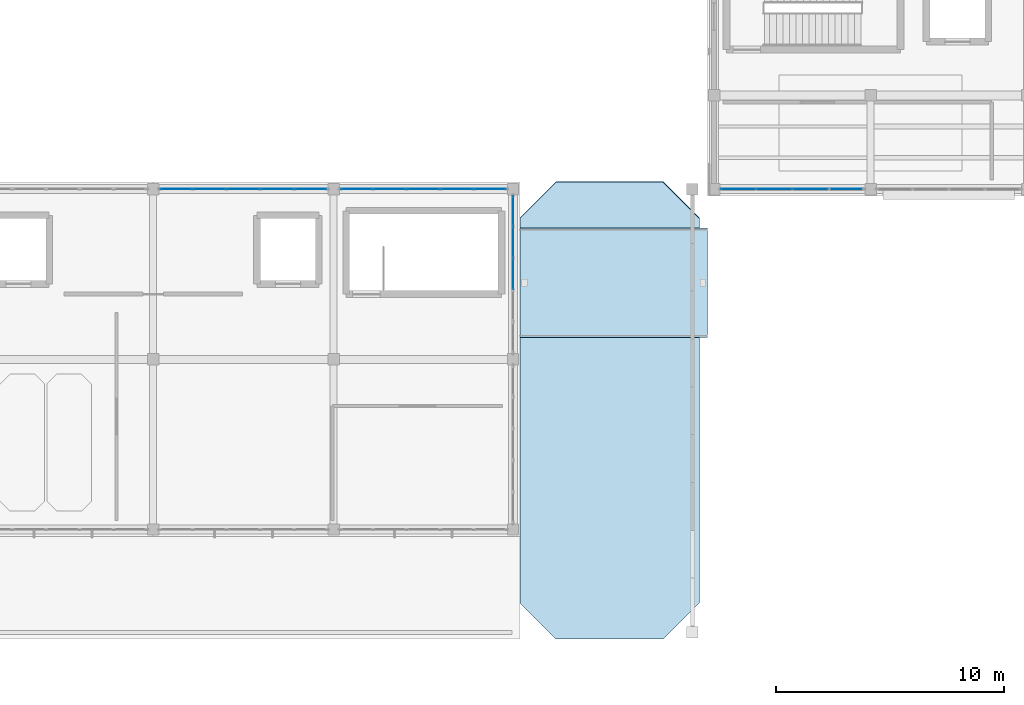
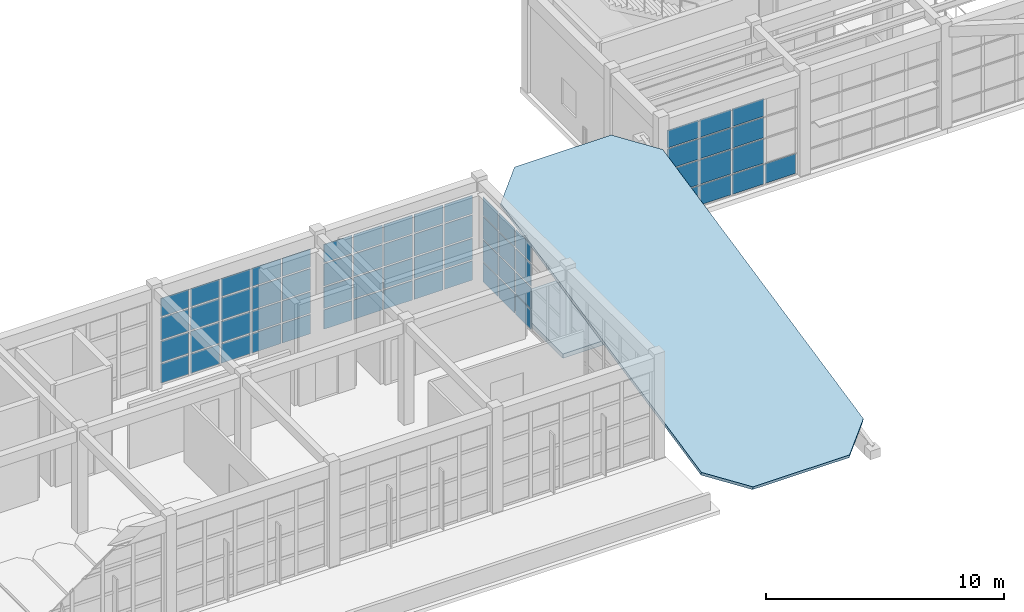
# One storey, part 65 of 103: 65 plates, 2 slabs, 4 elements without a shape of their own.
"""IFC4 building model written with IfcOpenShell, lengths in metres."""

from ifc_helpers import new_model, si_unit, direction, frame, origin, origin_2d, place, context, subcontext, project, spatial, polyline, rectangle, outline, extrude, material, layer, layer_set, type_object, element, aggregate, save


model = new_model("IFC4")

# Units and contexts
model_context = context("Model", 3, precision=1e-05, world=origin(), true_north=direction((0.0, 1.0)))
body_context = subcontext(model_context, "Body", "Model", "MODEL_VIEW")
ifc_project = project(units=[si_unit("LENGTHUNIT", "METRE"), si_unit("AREAUNIT", "SQUARE_METRE"), si_unit("VOLUMEUNIT", "CUBIC_METRE"), si_unit("PLANEANGLEUNIT", "RADIAN"), si_unit("MASSUNIT", "GRAM", prefix="KILO")], contexts=[model_context])

# Site, building, storey
site_placement = place(None, origin())
site = spatial("IfcSite", under=ifc_project, at=site_placement, CompositionType="ELEMENT")
building_placement = place(site_placement, origin())
building = spatial("IfcBuilding", under=site, at=building_placement, Name="Candilejo Ridge Gondola Terminal", CompositionType="ELEMENT")
storey_placement = place(building_placement, frame((0.0, 0.0, 9.0)))
storey = spatial("IfcBuildingStorey", under=building, at=storey_placement, Name="L02", CompositionType="ELEMENT", Elevation=9.0)

# Curtain wall, plates
ifc_material_1 = material(Name="Anodised aluminium AA 6063-T6", Category="aluminium")
ifc_layer_1 = layer(ifc_material_1, 0.169921875)
ifc_layer_set_1 = layer_set([ifc_layer_1], Name="ARC-CW-GALLERY-3200-740X449")
curtain_wall_type_1 = type_object("IfcCurtainWallType", Name="ARC-CW-GALLERY-3200-740X449", PredefinedType="NOTDEFINED", material=ifc_layer_set_1)
curtain_wall_1_placement = place(storey_placement, origin())
curtain_wall_1 = element("IfcCurtainWall", 1, at=curtain_wall_1_placement, inside=storey, type_object=curtain_wall_type_1, Name="Curtain wall V1 L02-012", PredefinedType="NOTDEFINED")
ifc_material_2 = material(Name="Low-E laminated double glazing 6+12A+6+1.52PVB+6 mm", Category="glass")
ifc_layer_2 = layer(ifc_material_2, 0.028076171875)
ifc_layer_set_2 = layer_set([ifc_layer_2], Name="ARC-CW-GLAZ-PANEL")
plate_type = type_object("IfcPlateType", Name="ARC-CW-GLAZ-PANEL", PredefinedType="CURTAIN_PANEL", material=ifc_layer_set_2)
plate_1_placement = place(storey_placement, frame((21.108642578125, 25.699951171875, 0.0751953125), z_axis=(0.0, 0.0, 1.0), x_axis=(1.0, 0.0, 0.0)))
plate_1 = element("IfcPlate", 2, at=plate_1_placement, type_object=plate_type, Name="CW-74X44 panel 1.1", PredefinedType="CURTAIN_PANEL", context=body_context, shape_type="SweptSolid", body=[
    extrude(rectangle(XDim=1.367431640625, YDim=0.028076171875, at=origin_2d()), origin(), (0.0, 0.0, 1.0), 0.987548828125),
])
plate_2_placement = place(storey_placement, frame((21.108642578125, 25.699951171875, 1.1376953125), z_axis=(0.0, 0.0, 1.0), x_axis=(1.0, 0.0, 0.0)))
plate_2 = element("IfcPlate", 3, at=plate_2_placement, type_object=plate_type, Name="CW-74X44 panel 1.2", PredefinedType="CURTAIN_PANEL", context=body_context, shape_type="SweptSolid", body=[
    extrude(rectangle(XDim=1.367431640625, YDim=0.028076171875, at=origin_2d()), origin(), (0.0, 0.0, 1.0), 1.074951171875),
])
plate_3_placement = place(storey_placement, frame((21.108642578125, 25.699951171875, 2.28759765625), z_axis=(0.0, 0.0, 1.0), x_axis=(1.0, 0.0, 0.0)))
plate_3 = element("IfcPlate", 4, at=plate_3_placement, type_object=plate_type, Name="CW-74X44 panel 1.3", PredefinedType="CURTAIN_PANEL", context=body_context, shape_type="SweptSolid", body=[
    extrude(rectangle(XDim=1.367431640625, YDim=0.028076171875, at=origin_2d()), origin(), (0.0, 0.0, 1.0), 1.125),
])
plate_4_placement = place(storey_placement, frame((21.108642578125, 25.699951171875, 3.4873046875), z_axis=(0.0, 0.0, 1.0), x_axis=(1.0, 0.0, 0.0)))
plate_4 = element("IfcPlate", 5, at=plate_4_placement, type_object=plate_type, Name="CW-74X44 panel 1.4", PredefinedType="CURTAIN_PANEL", context=body_context, shape_type="SweptSolid", body=[
    extrude(rectangle(XDim=1.367431640625, YDim=0.028076171875, at=origin_2d()), origin(), (0.0, 0.0, 1.0), 0.927490234375),
])
plate_5_placement = place(storey_placement, frame((22.570068359375, 25.699951171875, 0.0751953125), z_axis=(0.0, 0.0, 1.0), x_axis=(1.0, 0.0, 0.0)))
plate_5 = element("IfcPlate", 6, at=plate_5_placement, type_object=plate_type, Name="CW-74X44 panel 2.1", PredefinedType="CURTAIN_PANEL", context=body_context, shape_type="SweptSolid", body=[
    extrude(rectangle(XDim=1.405029296875, YDim=0.028076171875, at=origin_2d()), origin(), (0.0, 0.0, 1.0), 0.987548828125),
])
plate_6_placement = place(storey_placement, frame((22.570068359375, 25.699951171875, 1.1376953125), z_axis=(0.0, 0.0, 1.0), x_axis=(1.0, 0.0, 0.0)))
plate_6 = element("IfcPlate", 7, at=plate_6_placement, type_object=plate_type, Name="CW-74X44 panel 2.2", PredefinedType="CURTAIN_PANEL", context=body_context, shape_type="SweptSolid", body=[
    extrude(rectangle(XDim=1.405029296875, YDim=0.028076171875, at=origin_2d()), origin(), (0.0, 0.0, 1.0), 1.074951171875),
])
plate_7_placement = place(storey_placement, frame((22.570068359375, 25.699951171875, 2.28759765625), z_axis=(0.0, 0.0, 1.0), x_axis=(1.0, 0.0, 0.0)))
plate_7 = element("IfcPlate", 8, at=plate_7_placement, type_object=plate_type, Name="CW-74X44 panel 2.3", PredefinedType="CURTAIN_PANEL", context=body_context, shape_type="SweptSolid", body=[
    extrude(rectangle(XDim=1.405029296875, YDim=0.028076171875, at=origin_2d()), origin(), (0.0, 0.0, 1.0), 1.125),
])
plate_8_placement = place(storey_placement, frame((22.570068359375, 25.699951171875, 3.4873046875), z_axis=(0.0, 0.0, 1.0), x_axis=(1.0, 0.0, 0.0)))
plate_8 = element("IfcPlate", 9, at=plate_8_placement, type_object=plate_type, Name="CW-74X44 panel 2.4", PredefinedType="CURTAIN_PANEL", context=body_context, shape_type="SweptSolid", body=[
    extrude(rectangle(XDim=1.405029296875, YDim=0.028076171875, at=origin_2d()), origin(), (0.0, 0.0, 1.0), 0.927490234375),
])
plate_9_placement = place(storey_placement, frame((24.050048828125, 25.699951171875, 0.0751953125), z_axis=(0.0, 0.0, 1.0), x_axis=(1.0, 0.0, 0.0)))
plate_9 = element("IfcPlate", 10, at=plate_9_placement, type_object=plate_type, Name="CW-74X44 panel 3.1", PredefinedType="CURTAIN_PANEL", context=body_context, shape_type="SweptSolid", body=[
    extrude(rectangle(XDim=1.405029296875, YDim=0.028076171875, at=origin_2d()), origin(), (0.0, 0.0, 1.0), 0.987548828125),
])
plate_10_placement = place(storey_placement, frame((24.050048828125, 25.699951171875, 1.1376953125), z_axis=(0.0, 0.0, 1.0), x_axis=(1.0, 0.0, 0.0)))
plate_10 = element("IfcPlate", 11, at=plate_10_placement, type_object=plate_type, Name="CW-74X44 panel 3.2", PredefinedType="CURTAIN_PANEL", context=body_context, shape_type="SweptSolid", body=[
    extrude(rectangle(XDim=1.405029296875, YDim=0.028076171875, at=origin_2d()), origin(), (0.0, 0.0, 1.0), 1.074951171875),
])
plate_11_placement = place(storey_placement, frame((24.050048828125, 25.699951171875, 2.28759765625), z_axis=(0.0, 0.0, 1.0), x_axis=(1.0, 0.0, 0.0)))
plate_11 = element("IfcPlate", 12, at=plate_11_placement, type_object=plate_type, Name="CW-74X44 panel 3.3", PredefinedType="CURTAIN_PANEL", context=body_context, shape_type="SweptSolid", body=[
    extrude(rectangle(XDim=1.405029296875, YDim=0.028076171875, at=origin_2d()), origin(), (0.0, 0.0, 1.0), 1.125),
])
plate_12_placement = place(storey_placement, frame((24.050048828125, 25.699951171875, 3.4873046875), z_axis=(0.0, 0.0, 1.0), x_axis=(1.0, 0.0, 0.0)))
plate_12 = element("IfcPlate", 13, at=plate_12_placement, type_object=plate_type, Name="CW-74X44 panel 3.4", PredefinedType="CURTAIN_PANEL", context=body_context, shape_type="SweptSolid", body=[
    extrude(rectangle(XDim=1.405029296875, YDim=0.028076171875, at=origin_2d()), origin(), (0.0, 0.0, 1.0), 0.927490234375),
])
plate_13_placement = place(storey_placement, frame((25.530029296875, 25.699951171875, 0.0751953125), z_axis=(0.0, 0.0, 1.0), x_axis=(1.0, 0.0, 0.0)))
plate_13 = element("IfcPlate", 14, at=plate_13_placement, type_object=plate_type, Name="CW-74X44 panel 4.1", PredefinedType="CURTAIN_PANEL", context=body_context, shape_type="SweptSolid", body=[
    extrude(rectangle(XDim=1.405029296875, YDim=0.028076171875, at=origin_2d()), origin(), (0.0, 0.0, 1.0), 0.987548828125),
])
plate_14_placement = place(storey_placement, frame((25.530029296875, 25.699951171875, 1.1376953125), z_axis=(0.0, 0.0, 1.0), x_axis=(1.0, 0.0, 0.0)))
plate_14 = element("IfcPlate", 15, at=plate_14_placement, type_object=plate_type, Name="CW-74X44 panel 4.2", PredefinedType="CURTAIN_PANEL", context=body_context, shape_type="SweptSolid", body=[
    extrude(rectangle(XDim=1.405029296875, YDim=0.028076171875, at=origin_2d()), origin(), (0.0, 0.0, 1.0), 1.074951171875),
])
plate_15_placement = place(storey_placement, frame((25.530029296875, 25.699951171875, 2.28759765625), z_axis=(0.0, 0.0, 1.0), x_axis=(1.0, 0.0, 0.0)))
plate_15 = element("IfcPlate", 16, at=plate_15_placement, type_object=plate_type, Name="CW-74X44 panel 4.3", PredefinedType="CURTAIN_PANEL", context=body_context, shape_type="SweptSolid", body=[
    extrude(rectangle(XDim=1.405029296875, YDim=0.028076171875, at=origin_2d()), origin(), (0.0, 0.0, 1.0), 1.125),
])
plate_16_placement = place(storey_placement, frame((25.530029296875, 25.699951171875, 3.4873046875), z_axis=(0.0, 0.0, 1.0), x_axis=(1.0, 0.0, 0.0)))
plate_16 = element("IfcPlate", 17, at=plate_16_placement, type_object=plate_type, Name="CW-74X44 panel 4.4", PredefinedType="CURTAIN_PANEL", context=body_context, shape_type="SweptSolid", body=[
    extrude(rectangle(XDim=1.405029296875, YDim=0.028076171875, at=origin_2d()), origin(), (0.0, 0.0, 1.0), 0.927490234375),
])
plate_17_placement = place(storey_placement, frame((26.9912109375, 25.699951171875, 0.0751953125), z_axis=(0.0, 0.0, 1.0), x_axis=(1.0, 0.0, 0.0)))
plate_17 = element("IfcPlate", 18, at=plate_17_placement, type_object=plate_type, Name="CW-74X44 panel 5.1", PredefinedType="CURTAIN_PANEL", context=body_context, shape_type="SweptSolid", body=[
    extrude(rectangle(XDim=1.367431640625, YDim=0.028076171875, at=origin_2d()), origin(), (0.0, 0.0, 1.0), 0.987548828125),
])
plate_18_placement = place(storey_placement, frame((26.9912109375, 25.699951171875, 1.1376953125), z_axis=(0.0, 0.0, 1.0), x_axis=(1.0, 0.0, 0.0)))
plate_18 = element("IfcPlate", 19, at=plate_18_placement, type_object=plate_type, Name="CW-74X44 panel 5.2", PredefinedType="CURTAIN_PANEL", context=body_context, shape_type="SweptSolid", body=[
    extrude(rectangle(XDim=1.367431640625, YDim=0.028076171875, at=origin_2d()), origin(), (0.0, 0.0, 1.0), 1.074951171875),
])
plate_19_placement = place(storey_placement, frame((26.9912109375, 25.699951171875, 2.28759765625), z_axis=(0.0, 0.0, 1.0), x_axis=(1.0, 0.0, 0.0)))
plate_19 = element("IfcPlate", 20, at=plate_19_placement, type_object=plate_type, Name="CW-74X44 panel 5.3", PredefinedType="CURTAIN_PANEL", context=body_context, shape_type="SweptSolid", body=[
    extrude(rectangle(XDim=1.367431640625, YDim=0.028076171875, at=origin_2d()), origin(), (0.0, 0.0, 1.0), 1.125),
])
plate_20_placement = place(storey_placement, frame((26.9912109375, 25.699951171875, 3.4873046875), z_axis=(0.0, 0.0, 1.0), x_axis=(1.0, 0.0, 0.0)))
plate_20 = element("IfcPlate", 21, at=plate_20_placement, type_object=plate_type, Name="CW-74X44 panel 5.4", PredefinedType="CURTAIN_PANEL", context=body_context, shape_type="SweptSolid", body=[
    extrude(rectangle(XDim=1.367431640625, YDim=0.028076171875, at=origin_2d()), origin(), (0.0, 0.0, 1.0), 0.927490234375),
])
aggregate(curtain_wall_1, [plate_1, plate_2, plate_3, plate_4, plate_5, plate_6, plate_7, plate_8, plate_9, plate_10, plate_11, plate_12, plate_13, plate_14, plate_15, plate_16, plate_17, plate_18, plate_19, plate_20])

ifc_material_3 = material(Name="Anodised aluminium AA 6063-T6", Category="aluminium")
ifc_layer_3 = layer(ifc_material_3, 0.169921875)
ifc_layer_set_3 = layer_set([ifc_layer_3], Name="ARC-CW-GALLERY-3200-735X449")
curtain_wall_type_2 = type_object("IfcCurtainWallType", Name="ARC-CW-GALLERY-3200-735X449", PredefinedType="NOTDEFINED", material=ifc_layer_set_3)
curtain_wall_2_placement = place(storey_placement, origin())
curtain_wall_2 = element("IfcCurtainWall", 22, at=curtain_wall_2_placement, inside=storey, type_object=curtain_wall_type_2, Name="Curtain wall V1 L02-016", PredefinedType="NOTDEFINED")
plate_21_placement = place(storey_placement, frame((29.003662109375, 25.699951171875, 0.0751953125), z_axis=(0.0, 0.0, 1.0), x_axis=(1.0, 0.0, 0.0)))
plate_21 = element("IfcPlate", 23, at=plate_21_placement, type_object=plate_type, Name="CW-73X44 panel 1.1", PredefinedType="CURTAIN_PANEL", context=body_context, shape_type="SweptSolid", body=[
    extrude(rectangle(XDim=1.357421875, YDim=0.028076171875, at=origin_2d()), origin(), (0.0, 0.0, 1.0), 0.987548828125),
])
plate_22_placement = place(storey_placement, frame((29.003662109375, 25.699951171875, 1.1376953125), z_axis=(0.0, 0.0, 1.0), x_axis=(1.0, 0.0, 0.0)))
plate_22 = element("IfcPlate", 24, at=plate_22_placement, type_object=plate_type, Name="CW-73X44 panel 1.2", PredefinedType="CURTAIN_PANEL", context=body_context, shape_type="SweptSolid", body=[
    extrude(rectangle(XDim=1.357421875, YDim=0.028076171875, at=origin_2d()), origin(), (0.0, 0.0, 1.0), 1.074951171875),
])
plate_23_placement = place(storey_placement, frame((29.003662109375, 25.699951171875, 2.28759765625), z_axis=(0.0, 0.0, 1.0), x_axis=(1.0, 0.0, 0.0)))
plate_23 = element("IfcPlate", 25, at=plate_23_placement, type_object=plate_type, Name="CW-73X44 panel 1.3", PredefinedType="CURTAIN_PANEL", context=body_context, shape_type="SweptSolid", body=[
    extrude(rectangle(XDim=1.357421875, YDim=0.028076171875, at=origin_2d()), origin(), (0.0, 0.0, 1.0), 1.125),
])
plate_24_placement = place(storey_placement, frame((29.003662109375, 25.699951171875, 3.4873046875), z_axis=(0.0, 0.0, 1.0), x_axis=(1.0, 0.0, 0.0)))
plate_24 = element("IfcPlate", 26, at=plate_24_placement, type_object=plate_type, Name="CW-73X44 panel 1.4", PredefinedType="CURTAIN_PANEL", context=body_context, shape_type="SweptSolid", body=[
    extrude(rectangle(XDim=1.357421875, YDim=0.028076171875, at=origin_2d()), origin(), (0.0, 0.0, 1.0), 0.927490234375),
])
plate_25_placement = place(storey_placement, frame((30.455078125, 25.699951171875, 0.0751953125), z_axis=(0.0, 0.0, 1.0), x_axis=(1.0, 0.0, 0.0)))
plate_25 = element("IfcPlate", 27, at=plate_25_placement, type_object=plate_type, Name="CW-73X44 panel 2.1", PredefinedType="CURTAIN_PANEL", context=body_context, shape_type="SweptSolid", body=[
    extrude(rectangle(XDim=1.39501953125, YDim=0.028076171875, at=origin_2d()), origin(), (0.0, 0.0, 1.0), 0.987548828125),
])
plate_26_placement = place(storey_placement, frame((30.455078125, 25.699951171875, 1.1376953125), z_axis=(0.0, 0.0, 1.0), x_axis=(1.0, 0.0, 0.0)))
plate_26 = element("IfcPlate", 28, at=plate_26_placement, type_object=plate_type, Name="CW-73X44 panel 2.2", PredefinedType="CURTAIN_PANEL", context=body_context, shape_type="SweptSolid", body=[
    extrude(rectangle(XDim=1.39501953125, YDim=0.028076171875, at=origin_2d()), origin(), (0.0, 0.0, 1.0), 1.074951171875),
])
plate_27_placement = place(storey_placement, frame((30.455078125, 25.699951171875, 2.28759765625), z_axis=(0.0, 0.0, 1.0), x_axis=(1.0, 0.0, 0.0)))
plate_27 = element("IfcPlate", 29, at=plate_27_placement, type_object=plate_type, Name="CW-73X44 panel 2.3", PredefinedType="CURTAIN_PANEL", context=body_context, shape_type="SweptSolid", body=[
    extrude(rectangle(XDim=1.39501953125, YDim=0.028076171875, at=origin_2d()), origin(), (0.0, 0.0, 1.0), 1.125),
])
plate_28_placement = place(storey_placement, frame((30.455078125, 25.699951171875, 3.4873046875), z_axis=(0.0, 0.0, 1.0), x_axis=(1.0, 0.0, 0.0)))
plate_28 = element("IfcPlate", 30, at=plate_28_placement, type_object=plate_type, Name="CW-73X44 panel 2.4", PredefinedType="CURTAIN_PANEL", context=body_context, shape_type="SweptSolid", body=[
    extrude(rectangle(XDim=1.39501953125, YDim=0.028076171875, at=origin_2d()), origin(), (0.0, 0.0, 1.0), 0.927490234375),
])
plate_29_placement = place(storey_placement, frame((31.925048828125, 25.699951171875, 0.0751953125), z_axis=(0.0, 0.0, 1.0), x_axis=(1.0, 0.0, 0.0)))
plate_29 = element("IfcPlate", 31, at=plate_29_placement, type_object=plate_type, Name="CW-73X44 panel 3.1", PredefinedType="CURTAIN_PANEL", context=body_context, shape_type="SweptSolid", body=[
    extrude(rectangle(XDim=1.39501953125, YDim=0.028076171875, at=origin_2d()), origin(), (0.0, 0.0, 1.0), 0.987548828125),
])
plate_30_placement = place(storey_placement, frame((31.925048828125, 25.699951171875, 1.1376953125), z_axis=(0.0, 0.0, 1.0), x_axis=(1.0, 0.0, 0.0)))
plate_30 = element("IfcPlate", 32, at=plate_30_placement, type_object=plate_type, Name="CW-73X44 panel 3.2", PredefinedType="CURTAIN_PANEL", context=body_context, shape_type="SweptSolid", body=[
    extrude(rectangle(XDim=1.39501953125, YDim=0.028076171875, at=origin_2d()), origin(), (0.0, 0.0, 1.0), 1.074951171875),
])
plate_31_placement = place(storey_placement, frame((31.925048828125, 25.699951171875, 2.28759765625), z_axis=(0.0, 0.0, 1.0), x_axis=(1.0, 0.0, 0.0)))
plate_31 = element("IfcPlate", 33, at=plate_31_placement, type_object=plate_type, Name="CW-73X44 panel 3.3", PredefinedType="CURTAIN_PANEL", context=body_context, shape_type="SweptSolid", body=[
    extrude(rectangle(XDim=1.39501953125, YDim=0.028076171875, at=origin_2d()), origin(), (0.0, 0.0, 1.0), 1.125),
])
plate_32_placement = place(storey_placement, frame((31.925048828125, 25.699951171875, 3.4873046875), z_axis=(0.0, 0.0, 1.0), x_axis=(1.0, 0.0, 0.0)))
plate_32 = element("IfcPlate", 34, at=plate_32_placement, type_object=plate_type, Name="CW-73X44 panel 3.4", PredefinedType="CURTAIN_PANEL", context=body_context, shape_type="SweptSolid", body=[
    extrude(rectangle(XDim=1.39501953125, YDim=0.028076171875, at=origin_2d()), origin(), (0.0, 0.0, 1.0), 0.927490234375),
])
plate_33_placement = place(storey_placement, frame((33.39501953125, 25.699951171875, 0.0751953125), z_axis=(0.0, 0.0, 1.0), x_axis=(1.0, 0.0, 0.0)))
plate_33 = element("IfcPlate", 35, at=plate_33_placement, type_object=plate_type, Name="CW-73X44 panel 4.1", PredefinedType="CURTAIN_PANEL", context=body_context, shape_type="SweptSolid", body=[
    extrude(rectangle(XDim=1.39501953125, YDim=0.028076171875, at=origin_2d()), origin(), (0.0, 0.0, 1.0), 0.987548828125),
])
plate_34_placement = place(storey_placement, frame((33.39501953125, 25.699951171875, 1.1376953125), z_axis=(0.0, 0.0, 1.0), x_axis=(1.0, 0.0, 0.0)))
plate_34 = element("IfcPlate", 36, at=plate_34_placement, type_object=plate_type, Name="CW-73X44 panel 4.2", PredefinedType="CURTAIN_PANEL", context=body_context, shape_type="SweptSolid", body=[
    extrude(rectangle(XDim=1.39501953125, YDim=0.028076171875, at=origin_2d()), origin(), (0.0, 0.0, 1.0), 1.074951171875),
])
plate_35_placement = place(storey_placement, frame((33.39501953125, 25.699951171875, 2.28759765625), z_axis=(0.0, 0.0, 1.0), x_axis=(1.0, 0.0, 0.0)))
plate_35 = element("IfcPlate", 37, at=plate_35_placement, type_object=plate_type, Name="CW-73X44 panel 4.3", PredefinedType="CURTAIN_PANEL", context=body_context, shape_type="SweptSolid", body=[
    extrude(rectangle(XDim=1.39501953125, YDim=0.028076171875, at=origin_2d()), origin(), (0.0, 0.0, 1.0), 1.125),
])
plate_36_placement = place(storey_placement, frame((33.39501953125, 25.699951171875, 3.4873046875), z_axis=(0.0, 0.0, 1.0), x_axis=(1.0, 0.0, 0.0)))
plate_36 = element("IfcPlate", 38, at=plate_36_placement, type_object=plate_type, Name="CW-73X44 panel 4.4", PredefinedType="CURTAIN_PANEL", context=body_context, shape_type="SweptSolid", body=[
    extrude(rectangle(XDim=1.39501953125, YDim=0.028076171875, at=origin_2d()), origin(), (0.0, 0.0, 1.0), 0.927490234375),
])
plate_37_placement = place(storey_placement, frame((34.84619140625, 25.699951171875, 0.0751953125), z_axis=(0.0, 0.0, 1.0), x_axis=(1.0, 0.0, 0.0)))
plate_37 = element("IfcPlate", 39, at=plate_37_placement, type_object=plate_type, Name="CW-73X44 panel 5.1", PredefinedType="CURTAIN_PANEL", context=body_context, shape_type="SweptSolid", body=[
    extrude(rectangle(XDim=1.357421875, YDim=0.028076171875, at=origin_2d()), origin(), (0.0, 0.0, 1.0), 0.987548828125),
])
plate_38_placement = place(storey_placement, frame((34.84619140625, 25.699951171875, 1.1376953125), z_axis=(0.0, 0.0, 1.0), x_axis=(1.0, 0.0, 0.0)))
plate_38 = element("IfcPlate", 40, at=plate_38_placement, type_object=plate_type, Name="CW-73X44 panel 5.2", PredefinedType="CURTAIN_PANEL", context=body_context, shape_type="SweptSolid", body=[
    extrude(rectangle(XDim=1.357421875, YDim=0.028076171875, at=origin_2d()), origin(), (0.0, 0.0, 1.0), 1.074951171875),
])
plate_39_placement = place(storey_placement, frame((34.84619140625, 25.699951171875, 2.28759765625), z_axis=(0.0, 0.0, 1.0), x_axis=(1.0, 0.0, 0.0)))
plate_39 = element("IfcPlate", 41, at=plate_39_placement, type_object=plate_type, Name="CW-73X44 panel 5.3", PredefinedType="CURTAIN_PANEL", context=body_context, shape_type="SweptSolid", body=[
    extrude(rectangle(XDim=1.357421875, YDim=0.028076171875, at=origin_2d()), origin(), (0.0, 0.0, 1.0), 1.125),
])
plate_40_placement = place(storey_placement, frame((34.84619140625, 25.699951171875, 3.4873046875), z_axis=(0.0, 0.0, 1.0), x_axis=(1.0, 0.0, 0.0)))
plate_40 = element("IfcPlate", 42, at=plate_40_placement, type_object=plate_type, Name="CW-73X44 panel 5.4", PredefinedType="CURTAIN_PANEL", context=body_context, shape_type="SweptSolid", body=[
    extrude(rectangle(XDim=1.357421875, YDim=0.028076171875, at=origin_2d()), origin(), (0.0, 0.0, 1.0), 0.927490234375),
])
aggregate(curtain_wall_2, [plate_21, plate_22, plate_23, plate_24, plate_25, plate_26, plate_27, plate_28, plate_29, plate_30, plate_31, plate_32, plate_33, plate_34, plate_35, plate_36, plate_37, plate_38, plate_39, plate_40])

ifc_material_4 = material(Name="Anodised aluminium AA 6063-T6", Category="aluminium")
ifc_layer_4 = layer(ifc_material_4, 0.169921875)
ifc_layer_set_4 = layer_set([ifc_layer_4], Name="ARC-CW-GALLERY-3200-695X449")
curtain_wall_type_3 = type_object("IfcCurtainWallType", Name="ARC-CW-GALLERY-3200-695X449", PredefinedType="NOTDEFINED", material=ifc_layer_set_4)
curtain_wall_3_placement = place(storey_placement, origin())
curtain_wall_3 = element("IfcCurtainWall", 43, at=curtain_wall_3_placement, inside=storey, type_object=curtain_wall_type_3, Name="Curtain wall V1 L02-027", PredefinedType="NOTDEFINED")
plate_41_placement = place(storey_placement, frame((35.85009765625, 21.97509765625, 0.0751953125), z_axis=(0.0, 0.0, 1.0), x_axis=(0.0, 1.0, 0.0)))
plate_41 = element("IfcPlate", 44, at=plate_41_placement, type_object=plate_type, Name="CW-69X44 panel 3.1", PredefinedType="CURTAIN_PANEL", context=body_context, shape_type="SweptSolid", body=[
    extrude(rectangle(XDim=1.31494140625, YDim=0.028076171875, at=origin_2d()), origin(), (0.0, 0.0, 1.0), 0.987548828125),
])
plate_42_placement = place(storey_placement, frame((35.85009765625, 21.97509765625, 1.1376953125), z_axis=(0.0, 0.0, 1.0), x_axis=(0.0, 1.0, 0.0)))
plate_42 = element("IfcPlate", 45, at=plate_42_placement, type_object=plate_type, Name="CW-69X44 panel 3.2", PredefinedType="CURTAIN_PANEL", context=body_context, shape_type="SweptSolid", body=[
    extrude(rectangle(XDim=1.31494140625, YDim=0.028076171875, at=origin_2d()), origin(), (0.0, 0.0, 1.0), 1.074951171875),
])
plate_43_placement = place(storey_placement, frame((35.85009765625, 21.97509765625, 2.28759765625), z_axis=(0.0, 0.0, 1.0), x_axis=(0.0, 1.0, 0.0)))
plate_43 = element("IfcPlate", 46, at=plate_43_placement, type_object=plate_type, Name="CW-69X44 panel 3.3", PredefinedType="CURTAIN_PANEL", context=body_context, shape_type="SweptSolid", body=[
    extrude(rectangle(XDim=1.31494140625, YDim=0.028076171875, at=origin_2d()), origin(), (0.0, 0.0, 1.0), 1.125),
])
plate_44_placement = place(storey_placement, frame((35.85009765625, 21.97509765625, 3.4873046875), z_axis=(0.0, 0.0, 1.0), x_axis=(0.0, 1.0, 0.0)))
plate_44 = element("IfcPlate", 47, at=plate_44_placement, type_object=plate_type, Name="CW-69X44 panel 3.4", PredefinedType="CURTAIN_PANEL", context=body_context, shape_type="SweptSolid", body=[
    extrude(rectangle(XDim=1.31494140625, YDim=0.028076171875, at=origin_2d()), origin(), (0.0, 0.0, 1.0), 0.927490234375),
])
plate_45_placement = place(storey_placement, frame((35.85009765625, 23.364990234375, 0.0751953125), z_axis=(0.0, 0.0, 1.0), x_axis=(0.0, 1.0, 0.0)))
plate_45 = element("IfcPlate", 48, at=plate_45_placement, type_object=plate_type, Name="CW-69X44 panel 4.1", PredefinedType="CURTAIN_PANEL", context=body_context, shape_type="SweptSolid", body=[
    extrude(rectangle(XDim=1.31494140625, YDim=0.028076171875, at=origin_2d()), origin(), (0.0, 0.0, 1.0), 0.987548828125),
])
plate_46_placement = place(storey_placement, frame((35.85009765625, 23.364990234375, 1.1376953125), z_axis=(0.0, 0.0, 1.0), x_axis=(0.0, 1.0, 0.0)))
plate_46 = element("IfcPlate", 49, at=plate_46_placement, type_object=plate_type, Name="CW-69X44 panel 4.2", PredefinedType="CURTAIN_PANEL", context=body_context, shape_type="SweptSolid", body=[
    extrude(rectangle(XDim=1.31494140625, YDim=0.028076171875, at=origin_2d()), origin(), (0.0, 0.0, 1.0), 1.074951171875),
])
plate_47_placement = place(storey_placement, frame((35.85009765625, 23.364990234375, 2.28759765625), z_axis=(0.0, 0.0, 1.0), x_axis=(0.0, 1.0, 0.0)))
plate_47 = element("IfcPlate", 50, at=plate_47_placement, type_object=plate_type, Name="CW-69X44 panel 4.3", PredefinedType="CURTAIN_PANEL", context=body_context, shape_type="SweptSolid", body=[
    extrude(rectangle(XDim=1.31494140625, YDim=0.028076171875, at=origin_2d()), origin(), (0.0, 0.0, 1.0), 1.125),
])
plate_48_placement = place(storey_placement, frame((35.85009765625, 23.364990234375, 3.4873046875), z_axis=(0.0, 0.0, 1.0), x_axis=(0.0, 1.0, 0.0)))
plate_48 = element("IfcPlate", 51, at=plate_48_placement, type_object=plate_type, Name="CW-69X44 panel 4.4", PredefinedType="CURTAIN_PANEL", context=body_context, shape_type="SweptSolid", body=[
    extrude(rectangle(XDim=1.31494140625, YDim=0.028076171875, at=origin_2d()), origin(), (0.0, 0.0, 1.0), 0.927490234375),
])
plate_49_placement = place(storey_placement, frame((35.85009765625, 24.736328125, 0.0751953125), z_axis=(0.0, 0.0, 1.0), x_axis=(0.0, 1.0, 0.0)))
plate_49 = element("IfcPlate", 52, at=plate_49_placement, type_object=plate_type, Name="CW-69X44 panel 5.1", PredefinedType="CURTAIN_PANEL", context=body_context, shape_type="SweptSolid", body=[
    extrude(rectangle(XDim=1.277587890625, YDim=0.028076171875, at=origin_2d()), origin(), (0.0, 0.0, 1.0), 0.987548828125),
])
plate_50_placement = place(storey_placement, frame((35.85009765625, 24.736328125, 1.1376953125), z_axis=(0.0, 0.0, 1.0), x_axis=(0.0, 1.0, 0.0)))
plate_50 = element("IfcPlate", 53, at=plate_50_placement, type_object=plate_type, Name="CW-69X44 panel 5.2", PredefinedType="CURTAIN_PANEL", context=body_context, shape_type="SweptSolid", body=[
    extrude(rectangle(XDim=1.277587890625, YDim=0.028076171875, at=origin_2d()), origin(), (0.0, 0.0, 1.0), 1.074951171875),
])
plate_51_placement = place(storey_placement, frame((35.85009765625, 24.736328125, 2.28759765625), z_axis=(0.0, 0.0, 1.0), x_axis=(0.0, 1.0, 0.0)))
plate_51 = element("IfcPlate", 54, at=plate_51_placement, type_object=plate_type, Name="CW-69X44 panel 5.3", PredefinedType="CURTAIN_PANEL", context=body_context, shape_type="SweptSolid", body=[
    extrude(rectangle(XDim=1.277587890625, YDim=0.028076171875, at=origin_2d()), origin(), (0.0, 0.0, 1.0), 1.125),
])
plate_52_placement = place(storey_placement, frame((35.85009765625, 24.736328125, 3.4873046875), z_axis=(0.0, 0.0, 1.0), x_axis=(0.0, 1.0, 0.0)))
plate_52 = element("IfcPlate", 55, at=plate_52_placement, type_object=plate_type, Name="CW-69X44 panel 5.4", PredefinedType="CURTAIN_PANEL", context=body_context, shape_type="SweptSolid", body=[
    extrude(rectangle(XDim=1.277587890625, YDim=0.028076171875, at=origin_2d()), origin(), (0.0, 0.0, 1.0), 0.927490234375),
])
aggregate(curtain_wall_3, [plate_41, plate_42, plate_43, plate_44, plate_45, plate_46, plate_47, plate_48, plate_49, plate_50, plate_51, plate_52])

ifc_material_5 = material(Name="Anodised aluminium AA 6063-T6", Category="aluminium")
ifc_layer_5 = layer(ifc_material_5, 0.169921875)
ifc_layer_set_5 = layer_set([ifc_layer_5], Name="ARC-CW-DRUM-3400-635X449")
curtain_wall_type_4 = type_object("IfcCurtainWallType", Name="ARC-CW-DRUM-3400-635X449", PredefinedType="NOTDEFINED", material=ifc_layer_set_5)
curtain_wall_4_placement = place(storey_placement, origin())
curtain_wall_4 = element("IfcCurtainWall", 56, at=curtain_wall_4_placement, inside=storey, type_object=curtain_wall_type_4, Name="Curtain wall V2 L02-047", PredefinedType="NOTDEFINED")
plate_53_placement = place(storey_placement, frame((45.7099609375, 25.699951171875, 0.06005859375), z_axis=(0.0, 0.0, 1.0), x_axis=(1.0, 0.0, 0.0)))
plate_53 = element("IfcPlate", 57, at=plate_53_placement, type_object=plate_type, Name="CW-63X44 panel 1.1", PredefinedType="CURTAIN_PANEL", context=body_context, shape_type="SweptSolid", body=[
    extrude(rectangle(XDim=1.489990234375, YDim=0.028076171875, at=origin_2d()), origin(), (0.0, 0.0, 1.0), 1.010009765625),
])
plate_54_placement = place(storey_placement, frame((45.7099609375, 25.699951171875, 1.1298828125), z_axis=(0.0, 0.0, 1.0), x_axis=(1.0, 0.0, 0.0)))
plate_54 = element("IfcPlate", 58, at=plate_54_placement, type_object=plate_type, Name="CW-63X44 panel 1.2", PredefinedType="CURTAIN_PANEL", context=body_context, shape_type="SweptSolid", body=[
    extrude(rectangle(XDim=1.489990234375, YDim=0.028076171875, at=origin_2d()), origin(), (0.0, 0.0, 1.0), 1.239990234375),
])
plate_55_placement = place(storey_placement, frame((45.7099609375, 25.699951171875, 2.429931640625), z_axis=(0.0, 0.0, 1.0), x_axis=(1.0, 0.0, 0.0)))
plate_55 = element("IfcPlate", 59, at=plate_55_placement, type_object=plate_type, Name="CW-63X44 panel 1.3", PredefinedType="CURTAIN_PANEL", context=body_context, shape_type="SweptSolid", body=[
    extrude(rectangle(XDim=1.489990234375, YDim=0.028076171875, at=origin_2d()), origin(), (0.0, 0.0, 1.0), 1.0400390625),
])
plate_56_placement = place(storey_placement, frame((45.7099609375, 25.699951171875, 3.530029296875), z_axis=(0.0, 0.0, 1.0), x_axis=(1.0, 0.0, 0.0)))
plate_56 = element("IfcPlate", 60, at=plate_56_placement, type_object=plate_type, Name="CW-63X44 panel 1.4", PredefinedType="CURTAIN_PANEL", context=body_context, shape_type="SweptSolid", body=[
    extrude(rectangle(XDim=1.489990234375, YDim=0.028076171875, at=origin_2d()), origin(), (0.0, 0.0, 1.0), 0.89990234375),
])
plate_57_placement = place(storey_placement, frame((47.28125, 25.699951171875, 0.06005859375), z_axis=(0.0, 0.0, 1.0), x_axis=(1.0, 0.0, 0.0)))
plate_57 = element("IfcPlate", 61, at=plate_57_placement, type_object=plate_type, Name="CW-63X44 panel 2.1", PredefinedType="CURTAIN_PANEL", context=body_context, shape_type="SweptSolid", body=[
    extrude(rectangle(XDim=1.5224609375, YDim=0.028076171875, at=origin_2d()), origin(), (0.0, 0.0, 1.0), 1.010009765625),
])
plate_58_placement = place(storey_placement, frame((47.28125, 25.699951171875, 1.1298828125), z_axis=(0.0, 0.0, 1.0), x_axis=(1.0, 0.0, 0.0)))
plate_58 = element("IfcPlate", 62, at=plate_58_placement, type_object=plate_type, Name="CW-63X44 panel 2.2", PredefinedType="CURTAIN_PANEL", context=body_context, shape_type="SweptSolid", body=[
    extrude(rectangle(XDim=1.5224609375, YDim=0.028076171875, at=origin_2d()), origin(), (0.0, 0.0, 1.0), 1.239990234375),
])
plate_59_placement = place(storey_placement, frame((47.28125, 25.699951171875, 2.429931640625), z_axis=(0.0, 0.0, 1.0), x_axis=(1.0, 0.0, 0.0)))
plate_59 = element("IfcPlate", 63, at=plate_59_placement, type_object=plate_type, Name="CW-63X44 panel 2.3", PredefinedType="CURTAIN_PANEL", context=body_context, shape_type="SweptSolid", body=[
    extrude(rectangle(XDim=1.5224609375, YDim=0.028076171875, at=origin_2d()), origin(), (0.0, 0.0, 1.0), 1.0400390625),
])
plate_60_placement = place(storey_placement, frame((47.28125, 25.699951171875, 3.530029296875), z_axis=(0.0, 0.0, 1.0), x_axis=(1.0, 0.0, 0.0)))
plate_60 = element("IfcPlate", 64, at=plate_60_placement, type_object=plate_type, Name="CW-63X44 panel 2.4", PredefinedType="CURTAIN_PANEL", context=body_context, shape_type="SweptSolid", body=[
    extrude(rectangle(XDim=1.5224609375, YDim=0.028076171875, at=origin_2d()), origin(), (0.0, 0.0, 1.0), 0.89990234375),
])
plate_61_placement = place(storey_placement, frame((48.86865234375, 25.699951171875, 0.06005859375), z_axis=(0.0, 0.0, 1.0), x_axis=(1.0, 0.0, 0.0)))
plate_61 = element("IfcPlate", 65, at=plate_61_placement, type_object=plate_type, Name="CW-63X44 panel 3.1", PredefinedType="CURTAIN_PANEL", context=body_context, shape_type="SweptSolid", body=[
    extrude(rectangle(XDim=1.5224609375, YDim=0.028076171875, at=origin_2d()), origin(), (0.0, 0.0, 1.0), 1.010009765625),
])
plate_62_placement = place(storey_placement, frame((48.86865234375, 25.699951171875, 1.1298828125), z_axis=(0.0, 0.0, 1.0), x_axis=(1.0, 0.0, 0.0)))
plate_62 = element("IfcPlate", 66, at=plate_62_placement, type_object=plate_type, Name="CW-63X44 panel 3.2", PredefinedType="CURTAIN_PANEL", context=body_context, shape_type="SweptSolid", body=[
    extrude(rectangle(XDim=1.5224609375, YDim=0.028076171875, at=origin_2d()), origin(), (0.0, 0.0, 1.0), 1.239990234375),
])
plate_63_placement = place(storey_placement, frame((48.86865234375, 25.699951171875, 2.429931640625), z_axis=(0.0, 0.0, 1.0), x_axis=(1.0, 0.0, 0.0)))
plate_63 = element("IfcPlate", 67, at=plate_63_placement, type_object=plate_type, Name="CW-63X44 panel 3.3", PredefinedType="CURTAIN_PANEL", context=body_context, shape_type="SweptSolid", body=[
    extrude(rectangle(XDim=1.5224609375, YDim=0.028076171875, at=origin_2d()), origin(), (0.0, 0.0, 1.0), 1.0400390625),
])
plate_64_placement = place(storey_placement, frame((48.86865234375, 25.699951171875, 3.530029296875), z_axis=(0.0, 0.0, 1.0), x_axis=(1.0, 0.0, 0.0)))
plate_64 = element("IfcPlate", 68, at=plate_64_placement, type_object=plate_type, Name="CW-63X44 panel 3.4", PredefinedType="CURTAIN_PANEL", context=body_context, shape_type="SweptSolid", body=[
    extrude(rectangle(XDim=1.5224609375, YDim=0.028076171875, at=origin_2d()), origin(), (0.0, 0.0, 1.0), 0.89990234375),
])
plate_65_placement = place(storey_placement, frame((50.43994140625, 25.699951171875, 0.06005859375), z_axis=(0.0, 0.0, 1.0), x_axis=(1.0, 0.0, 0.0)))
plate_65 = element("IfcPlate", 69, at=plate_65_placement, type_object=plate_type, Name="CW-63X44 panel 4.1", PredefinedType="CURTAIN_PANEL", context=body_context, shape_type="SweptSolid", body=[
    extrude(rectangle(XDim=1.489990234375, YDim=0.028076171875, at=origin_2d()), origin(), (0.0, 0.0, 1.0), 1.010009765625),
])
aggregate(curtain_wall_4, [plate_53, plate_54, plate_55, plate_56, plate_57, plate_58, plate_59, plate_60, plate_61, plate_62, plate_63, plate_64, plate_65])

# Slabs
ifc_material_6 = material(Name="Concrete f'c 35 MPa (C35/45)", Category="concrete")
ifc_layer_6 = layer(ifc_material_6, 0.219970703125)
ifc_layer_set_6 = layer_set([ifc_layer_6], Name="STR-BRIDGE-SLAB-220")
slab_type_1 = type_object("IfcSlabType", Name="STR-BRIDGE-SLAB-220", PredefinedType="FLOOR", material=ifc_layer_set_6)
slab_1_placement = place(storey_placement, frame((0.0, 0.0, -0.219970703125)))
element("IfcSlab", 70, at=slab_1_placement, inside=storey, type_object=slab_type_1, Name="Slab SLB-LB-SJ1-L02", PredefinedType="FLOOR", context=body_context, shape_type="SweptSolid", body=[
    extrude(outline(polyline([(36.14990234375, 19.199951171875), (44.35009765625, 19.199951171875), (44.35009765625, 24.0), (36.14990234375, 24.0), (36.14990234375, 19.199951171875)])), origin(), (0.0, 0.0, 1.0), 0.219970703125),
])
ifc_material_7 = material(Name="Concrete f'c 35 MPa (C35/45)", Category="concrete")
ifc_layer_7 = layer(ifc_material_7, 0.1650390625)
ifc_layer_set_7 = layer_set([ifc_layer_7], Name="STR-ROOF-SLAB-165")
slab_type_2 = type_object("IfcSlabType", Name="STR-ROOF-SLAB-165", PredefinedType="ROOF", material=ifc_layer_set_7)
slab_2_placement = place(storey_placement, frame((37.73486328125, 6.0, 0.64990234375), z_axis=(0.0, -0.207915621192, 0.978146765299), x_axis=(1.0, 0.0, 0.0)))
element("IfcSlab", 71, at=slab_2_placement, inside=storey, type_object=slab_type_2, Name="Sloped standing-seam roof deck RF-V1-STEP", PredefinedType="ROOF", context=body_context, shape_type="SweptSolid", body=[
    extrude(outline(polyline([(0.0, 0.0), (4.68017578125, 0.0), (6.26513671875, 1.6203741107334557), (6.26513671875, 18.826456388555425), (4.68017578125, 20.44683049928888), (0.0, 20.44683049928888), (-1.5849609375, 18.826456388555425), (-1.5849609375, 1.6203741107334557), (0.0, 0.0)])), origin(), (0.0, 0.0, -1.0), 0.1650390625),
])

save(model, "model.ifc")
